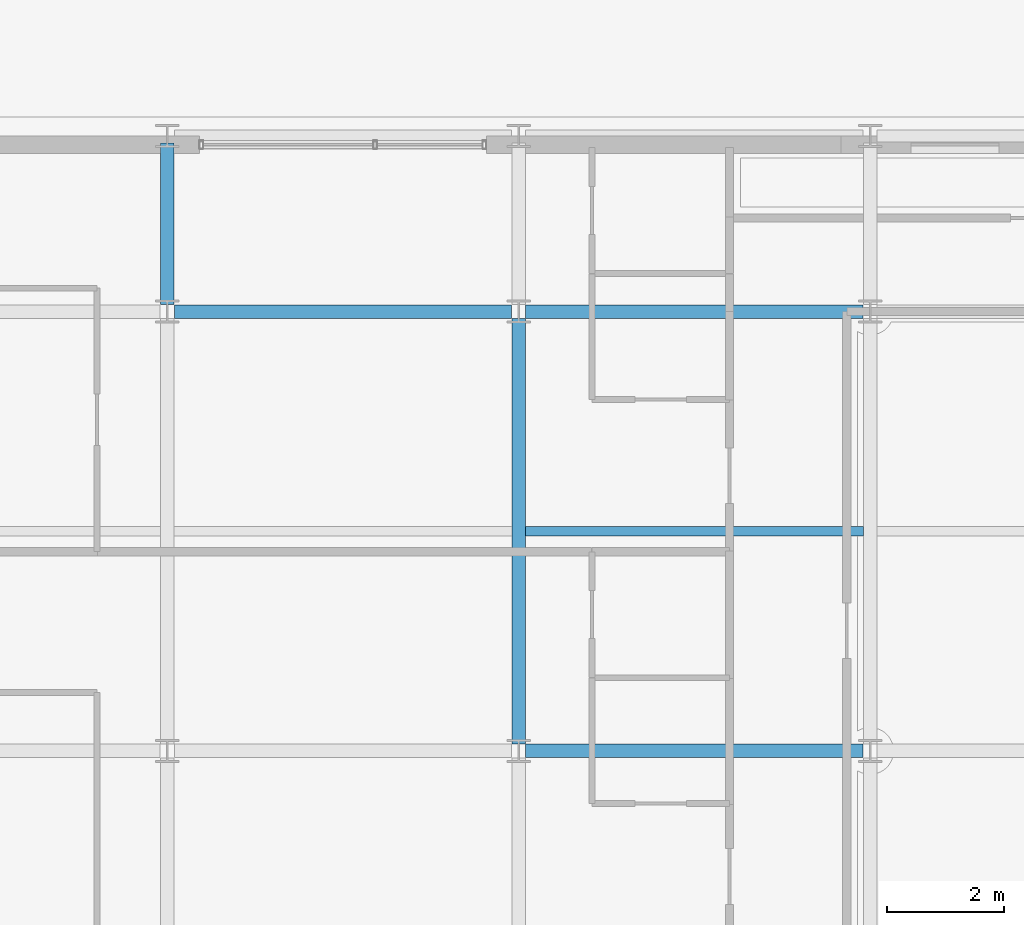
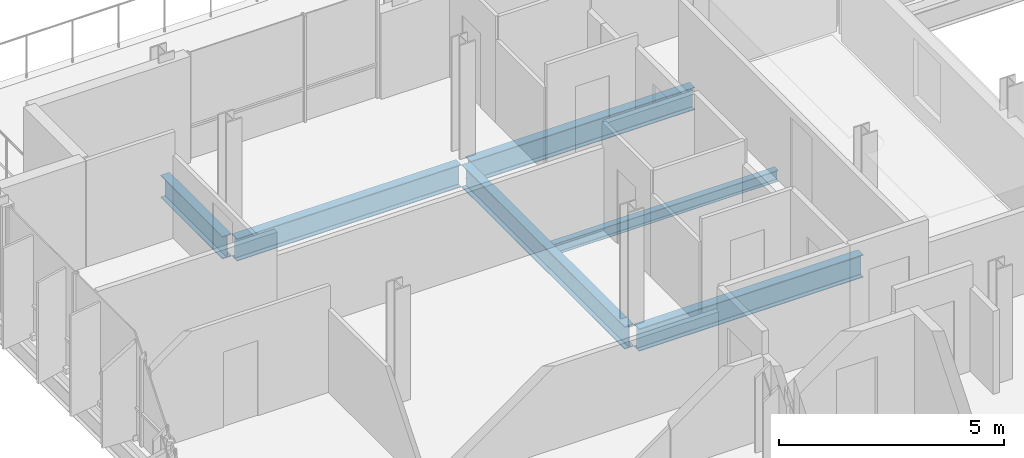
# One storey, part 7 of 38: 6 beams.
"""IFC4 building model written with IfcOpenShell, lengths in metres."""

from ifc_helpers import new_model, si_unit, direction, frame, origin, origin_2d, place, context, subcontext, project, spatial, i_section, extrude, material, material_profile, profile_set, type_object, element, save


model = new_model("IFC4")

# Units and contexts
model_context = context("Model", 3, precision=1e-05, world=origin(), true_north=direction((0.0, 1.0)))
body_context = subcontext(model_context, "Body", "Model", "MODEL_VIEW")
ifc_project = project(units=[si_unit("LENGTHUNIT", "METRE"), si_unit("AREAUNIT", "SQUARE_METRE"), si_unit("VOLUMEUNIT", "CUBIC_METRE"), si_unit("PLANEANGLEUNIT", "RADIAN"), si_unit("MASSUNIT", "GRAM", prefix="KILO")], contexts=[model_context])

# Site, building, storey
site_placement = place(None, origin())
site = spatial("IfcSite", under=ifc_project, at=site_placement, CompositionType="ELEMENT")
building_placement = place(site_placement, origin())
building = spatial("IfcBuilding", under=site, at=building_placement, Name="Brevholm Reach", CompositionType="ELEMENT")
storey_placement = place(building_placement, frame((0.0, 0.0, 172.800048828125)))
storey = spatial("IfcBuildingStorey", under=building, at=storey_placement, Name="L52", CompositionType="ELEMENT", Elevation=172.800048828125)

# Beams
ifc_material_1 = material(Name="Structural Steel S355J2", Category="steel")
ifc_material_profile_1 = material_profile(ifc_material_1, i_section(OverallWidth=0.1650390625, OverallDepth=0.303466796875, WebThickness=0.006103515625, FlangeThickness=0.01025390625, FilletRadius=0.0087890625, at=origin_2d()), Name="UKB 305x165x40")
ifc_profile_set_1 = profile_set([ifc_material_profile_1], Name="Structural Steel S355J2")
beam_type_1 = type_object("IfcBeamType", Name="BM-B305", PredefinedType="BEAM", material=ifc_profile_set_1)
beam_1_placement = place(storey_placement, frame((12.114501953125, 19.75, -0.36181640625), z_axis=(1.0, 0.0, 0.0), x_axis=(0.0, 1.0, 0.0)))
element("IfcBeam", 1, at=beam_1_placement, inside=storey, type_object=beam_type_1, Name="L52 Composite Secondary Floor Beam", PredefinedType="BEAM", context=body_context, shape_type="SweptSolid", body=[
    extrude(i_section(OverallWidth=0.1650390625, OverallDepth=0.303466796875, WebThickness=0.006103515625, FlangeThickness=0.01025390625, FilletRadius=0.0087890625, at=origin_2d()), origin(), (0.0, 0.0, 1.0), 5.77099609375),
])
ifc_material_2 = material(Name="Structural Steel S355J2", Category="steel")
ifc_material_profile_2 = material_profile(ifc_material_2, i_section(OverallWidth=0.22900390625, OverallDepth=0.6123046875, WebThickness=0.011962890625, FlangeThickness=0.01953125, FilletRadius=0.0126953125, at=origin_2d()), Name="UKB 610x229x125")
ifc_profile_set_2 = profile_set([ifc_material_profile_2], Name="Structural Steel S355J2")
beam_type_2 = type_object("IfcBeamType", Name="BM-SP610", PredefinedType="SPANDREL", material=ifc_profile_set_2)
for number, where, z_axis, x_axis, name in (
    (2, (12.1201171875, 16.0, -0.51611328125), (1.0, 0.0, 0.0), (0.0, 1.0, 0.0), "L52 SP-01 Framing Beam"),
    (3, (6.1201171875, 23.5, -0.51611328125), (1.0, 0.0, 0.0), (0.0, 1.0, 0.0), "L52 SP-01 Framing Beam"),
    (4, (12.1201171875, 23.5, -0.51611328125), (1.0, 0.0, 0.0), (0.0, 1.0, 0.0), "L52 SP-01 Framing Beam"),
):
    element("IfcBeam", number, at=place(storey_placement, frame(where, z_axis=z_axis, x_axis=x_axis)), inside=storey, type_object=beam_type_2, Name=name, PredefinedType="SPANDREL", context=body_context, shape_type="SweptSolid", body=[
        extrude(i_section(OverallWidth=0.22900390625, OverallDepth=0.6123046875, WebThickness=0.011962890625, FlangeThickness=0.01953125, FilletRadius=0.0126953125, at=origin_2d()), origin(), (0.0, 0.0, 1.0), 5.759765625),
    ])
beam_2_placement = place(storey_placement, frame((6.0, 23.6201171875, -0.51611328125), z_axis=(0.0, 1.0, 0.0), x_axis=(-1.0, 0.0, 0.0)))
element("IfcBeam", 5, at=beam_2_placement, inside=storey, type_object=beam_type_2, Name="L52 SP-01 Framing Beam", PredefinedType="SPANDREL", context=body_context, shape_type="SweptSolid", body=[
    extrude(i_section(OverallWidth=0.22900390625, OverallDepth=0.6123046875, WebThickness=0.011962890625, FlangeThickness=0.01953125, FilletRadius=0.0126953125, at=origin_2d()), origin(), (0.0, 0.0, 1.0), 2.759765625),
])
beam_3_placement = place(storey_placement, frame((12.0, 16.1201171875, -0.51611328125), z_axis=(0.0, 1.0, 0.0), x_axis=(-1.0, 0.0, 0.0)))
element("IfcBeam", 6, at=beam_3_placement, inside=storey, type_object=beam_type_2, Name="L52 SP-01 Framing Beam", PredefinedType="SPANDREL", context=body_context, shape_type="SweptSolid", body=[
    extrude(i_section(OverallWidth=0.22900390625, OverallDepth=0.6123046875, WebThickness=0.011962890625, FlangeThickness=0.01953125, FilletRadius=0.0126953125, at=origin_2d()), origin(), (0.0, 0.0, 1.0), 7.259765625),
])

save(model, "model.ifc")
